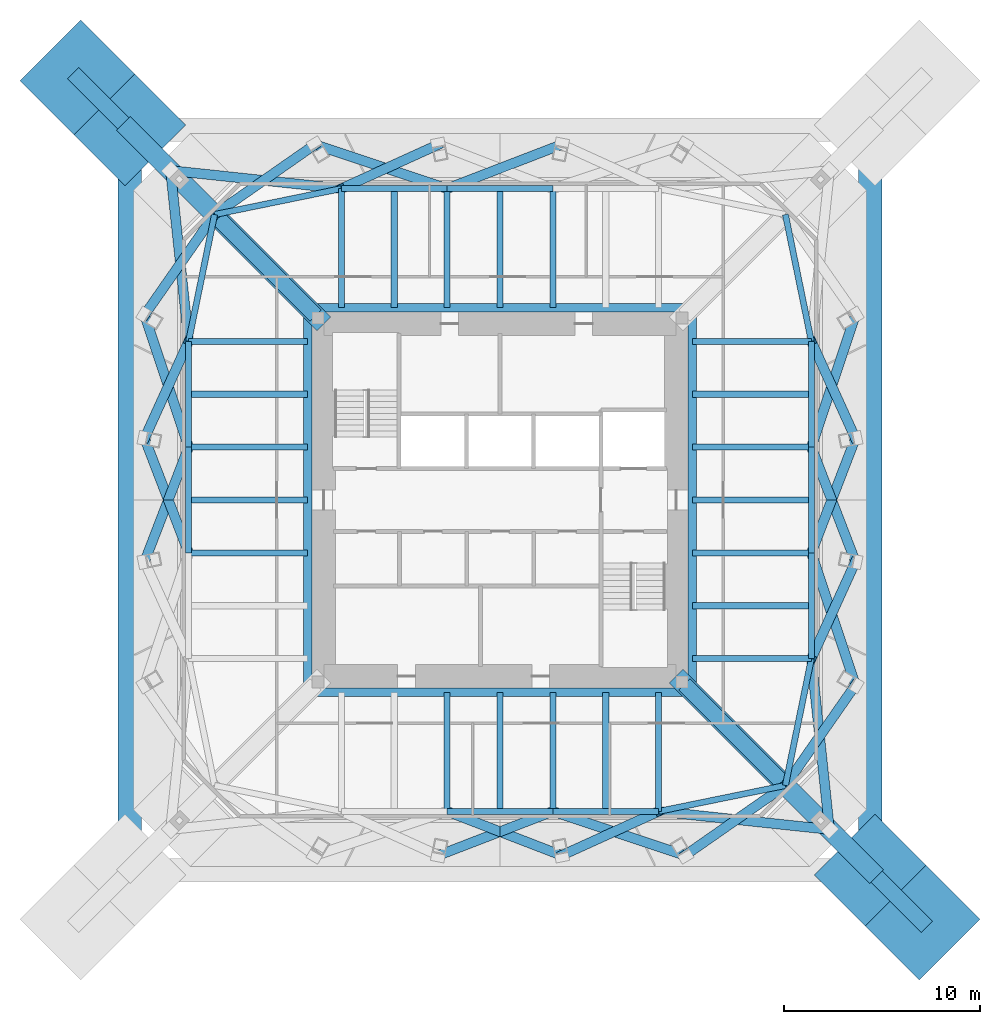
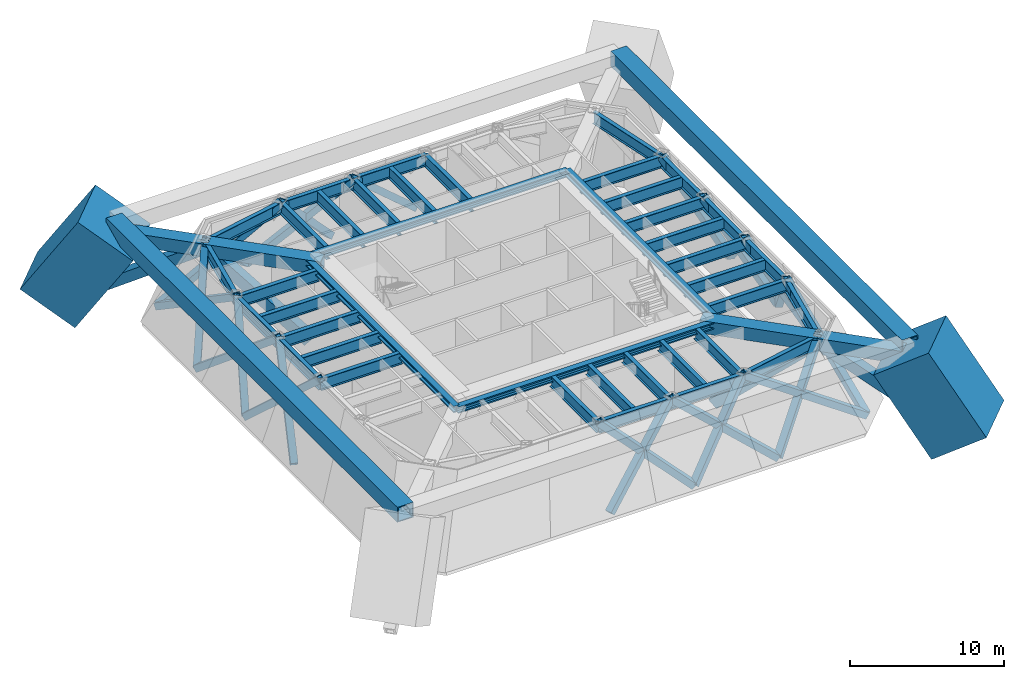
# One storey, part 2 of 6: 40 beams, 37 members.
"""IFC4 building model written with IfcOpenShell, lengths in metres."""

from ifc_helpers import new_model, si_unit, direction, frame, origin, origin_2d, place, context, subcontext, project, spatial, rectangle, hollow_rectangle, i_section, extrude, material, material_profile, profile_set, type_object, element, save


model = new_model("IFC4")

# Units and contexts
model_context = context("Model", 3, precision=1e-05, world=origin(), true_north=direction((0.0, 1.0)))
body_context = subcontext(model_context, "Body", "Model", "MODEL_VIEW")
ifc_project = project(units=[si_unit("LENGTHUNIT", "METRE"), si_unit("AREAUNIT", "SQUARE_METRE"), si_unit("VOLUMEUNIT", "CUBIC_METRE"), si_unit("PLANEANGLEUNIT", "RADIAN"), si_unit("MASSUNIT", "GRAM", prefix="KILO")], contexts=[model_context])

# Site, building, storey
site_placement = place(None, origin())
site = spatial("IfcSite", under=ifc_project, at=site_placement, CompositionType="ELEMENT")
building_placement = place(site_placement, origin())
building = spatial("IfcBuilding", under=site, at=building_placement, Name="Iwan Alto Co-Living Towers", CompositionType="ELEMENT")
storey_placement = place(building_placement, frame((0.0, 0.0, 209.0)))
storey = spatial("IfcBuildingStorey", under=building, at=storey_placement, Name="L57", CompositionType="ELEMENT", Elevation=209.0)

# Beams
ifc_material_1 = material(Name="Steel ASTM A992 Gr 50", Category="steel")
ifc_material_profile_1 = material_profile(ifc_material_1, i_section(OverallWidth=0.307373046875, OverallDepth=0.927001953125, WebThickness=0.01953125, FlangeThickness=0.031982421875, at=origin_2d()), Name="W36X194")
ifc_profile_set_1 = profile_set([ifc_material_profile_1], Name="Steel ASTM A992 Gr 50")
beam_type_1 = type_object("IfcBeamType", Name="T1 BELT TRUSS CHORD W36X194", PredefinedType="BEAM", material=ifc_profile_set_1)
beam_1_placement = place(storey_placement, frame((-2.699951171875, -15.89990234375, 5.306396484375), z_axis=(1.0, 0.0, 0.0), x_axis=(0.0, 1.0, 0.0)))
element("IfcBeam", 1, at=beam_1_placement, inside=storey, type_object=beam_type_1, Name="T1 edge beam S2 L58", PredefinedType="BEAM", context=body_context, shape_type="SweptSolid", body=[
    extrude(i_section(OverallWidth=0.307373046875, OverallDepth=0.927001953125, WebThickness=0.01953125, FlangeThickness=0.031982421875, at=origin_2d()), origin(), (0.0, 0.0, 1.0), 5.39990234375),
])
beam_2_placement = place(storey_placement, frame((2.699951171875, -15.89990234375, 5.306396484375), z_axis=(1.0, 0.0, 0.0), x_axis=(0.0, 1.0, 0.0)))
element("IfcBeam", 2, at=beam_2_placement, inside=storey, type_object=beam_type_1, Name="T1 edge beam S3 L58", PredefinedType="BEAM", context=body_context, shape_type="SweptSolid", body=[
    extrude(i_section(OverallWidth=0.307373046875, OverallDepth=0.927001953125, WebThickness=0.01953125, FlangeThickness=0.031982421875, at=origin_2d()), origin(), (0.0, 0.0, 1.0), 5.400146484375),
])
for number, where, z_axis, x_axis, name in (
    (3, (8.10009765625, -15.89990234375, 5.306396484375), (0.979724820103, 0.200347889618, 0.0), (-0.200347889618, 0.979724820103, 0.0), "T1 edge beam S4 L58"),
    (4, (14.57568359375, -14.57568359375, 5.306396484375), (0.200347889618, 0.979724820103, 0.0), (-0.979724820103, 0.200347889618, 0.0), "T1 edge beam CSE L58"),
):
    element("IfcBeam", number, at=place(storey_placement, frame(where, z_axis=z_axis, x_axis=x_axis)), inside=storey, type_object=beam_type_1, Name=name, PredefinedType="BEAM", context=body_context, shape_type="SweptSolid", body=[
        extrude(i_section(OverallWidth=0.307373046875, OverallDepth=0.927001953125, WebThickness=0.01953125, FlangeThickness=0.031982421875, at=origin_2d()), origin(), (0.0, 0.0, 1.0), 6.609619140625),
    ])
beam_3_placement = place(storey_placement, frame((15.89990234375, -8.10009765625, 5.306396484375), z_axis=(0.0, 1.0, 0.0), x_axis=(-1.0, 0.0, 0.0)))
element("IfcBeam", 5, at=beam_3_placement, inside=storey, type_object=beam_type_1, Name="T1 edge beam E1 L58", PredefinedType="BEAM", context=body_context, shape_type="SweptSolid", body=[
    extrude(i_section(OverallWidth=0.307373046875, OverallDepth=0.927001953125, WebThickness=0.01953125, FlangeThickness=0.031982421875, at=origin_2d()), origin(), (0.0, 0.0, 1.0), 5.400146484375),
])
beam_4_placement = place(storey_placement, frame((15.89990234375, -2.699951171875, 5.306396484375), z_axis=(0.0, 1.0, 0.0), x_axis=(-1.0, 0.0, 0.0)))
element("IfcBeam", 6, at=beam_4_placement, inside=storey, type_object=beam_type_1, Name="T1 edge beam E2 L58", PredefinedType="BEAM", context=body_context, shape_type="SweptSolid", body=[
    extrude(i_section(OverallWidth=0.307373046875, OverallDepth=0.927001953125, WebThickness=0.01953125, FlangeThickness=0.031982421875, at=origin_2d()), origin(), (0.0, 0.0, 1.0), 5.39990234375),
])
beam_5_placement = place(storey_placement, frame((15.89990234375, 2.699951171875, 5.306396484375), z_axis=(0.0, 1.0, 0.0), x_axis=(-1.0, 0.0, 0.0)))
element("IfcBeam", 7, at=beam_5_placement, inside=storey, type_object=beam_type_1, Name="T1 edge beam E3 L58", PredefinedType="BEAM", context=body_context, shape_type="SweptSolid", body=[
    extrude(i_section(OverallWidth=0.307373046875, OverallDepth=0.927001953125, WebThickness=0.01953125, FlangeThickness=0.031982421875, at=origin_2d()), origin(), (0.0, 0.0, 1.0), 5.400146484375),
])
beam_6_placement = place(storey_placement, frame((15.89990234375, 8.10009765625, 5.306396484375), z_axis=(-0.200347889618, 0.979724820103, 0.0), x_axis=(-0.979724820103, -0.200347889618, 0.0)))
element("IfcBeam", 8, at=beam_6_placement, inside=storey, type_object=beam_type_1, Name="T1 edge beam E4 L58", PredefinedType="BEAM", context=body_context, shape_type="SweptSolid", body=[
    extrude(i_section(OverallWidth=0.307373046875, OverallDepth=0.927001953125, WebThickness=0.01953125, FlangeThickness=0.031982421875, at=origin_2d()), origin(), (0.0, 0.0, 1.0), 6.609619140625),
])
beam_7_placement = place(storey_placement, frame((2.699951171875, 15.89990234375, 5.306396484375), z_axis=(-1.0, 0.0, 0.0), x_axis=(0.0, -1.0, 0.0)))
element("IfcBeam", 9, at=beam_7_placement, inside=storey, type_object=beam_type_1, Name="T1 edge beam N2 L58", PredefinedType="BEAM", context=body_context, shape_type="SweptSolid", body=[
    extrude(i_section(OverallWidth=0.307373046875, OverallDepth=0.927001953125, WebThickness=0.01953125, FlangeThickness=0.031982421875, at=origin_2d()), origin(), (0.0, 0.0, 1.0), 5.39990234375),
])
beam_8_placement = place(storey_placement, frame((-2.699951171875, 15.89990234375, 5.306396484375), z_axis=(-1.0, 0.0, 0.0), x_axis=(0.0, -1.0, 0.0)))
element("IfcBeam", 10, at=beam_8_placement, inside=storey, type_object=beam_type_1, Name="T1 edge beam N3 L58", PredefinedType="BEAM", context=body_context, shape_type="SweptSolid", body=[
    extrude(i_section(OverallWidth=0.307373046875, OverallDepth=0.927001953125, WebThickness=0.01953125, FlangeThickness=0.031982421875, at=origin_2d()), origin(), (0.0, 0.0, 1.0), 5.400146484375),
])
for number, where, z_axis, x_axis, name in (
    (11, (-8.10009765625, 15.89990234375, 5.306396484375), (-0.979724820103, -0.200347889618, 0.0), (0.200347889618, -0.979724820103, 0.0), "T1 edge beam N4 L58"),
    (12, (-14.57568359375, 14.57568359375, 5.306396484375), (-0.200347889618, -0.979724820103, 0.0), (0.979724820103, -0.200347889618, 0.0), "T1 edge beam CNW L58"),
):
    element("IfcBeam", number, at=place(storey_placement, frame(where, z_axis=z_axis, x_axis=x_axis)), inside=storey, type_object=beam_type_1, Name=name, PredefinedType="BEAM", context=body_context, shape_type="SweptSolid", body=[
        extrude(i_section(OverallWidth=0.307373046875, OverallDepth=0.927001953125, WebThickness=0.01953125, FlangeThickness=0.031982421875, at=origin_2d()), origin(), (0.0, 0.0, 1.0), 6.609619140625),
    ])
beam_9_placement = place(storey_placement, frame((-15.89990234375, 8.10009765625, 5.306396484375), z_axis=(0.0, -1.0, 0.0), x_axis=(1.0, 0.0, 0.0)))
element("IfcBeam", 13, at=beam_9_placement, inside=storey, type_object=beam_type_1, Name="T1 edge beam W1 L58", PredefinedType="BEAM", context=body_context, shape_type="SweptSolid", body=[
    extrude(i_section(OverallWidth=0.307373046875, OverallDepth=0.927001953125, WebThickness=0.01953125, FlangeThickness=0.031982421875, at=origin_2d()), origin(), (0.0, 0.0, 1.0), 5.400146484375),
])
beam_10_placement = place(storey_placement, frame((-15.89990234375, 2.699951171875, 5.306396484375), z_axis=(0.0, -1.0, 0.0), x_axis=(1.0, 0.0, 0.0)))
element("IfcBeam", 14, at=beam_10_placement, inside=storey, type_object=beam_type_1, Name="T1 edge beam W2 L58", PredefinedType="BEAM", context=body_context, shape_type="SweptSolid", body=[
    extrude(i_section(OverallWidth=0.307373046875, OverallDepth=0.927001953125, WebThickness=0.01953125, FlangeThickness=0.031982421875, at=origin_2d()), origin(), (0.0, 0.0, 1.0), 5.39990234375),
])

# Members
ifc_material_2 = material(Name="Steel ASTM A572 Gr 50", Category="steel")
ifc_material_profile_2 = material_profile(ifc_material_2, hollow_rectangle(XDim=0.5, YDim=0.5, WallThickness=0.031982421875, at=origin_2d()), Name="BOX 500X500X32")
ifc_profile_set_2 = profile_set([ifc_material_profile_2], Name="Steel ASTM A572 Gr 50")
member_type_1 = type_object("IfcMemberType", Name="T1 BELT TRUSS DIAGONAL BOX 500X500X32", PredefinedType="BRACE", material=ifc_profile_set_2)
for number, where, z_axis, x_axis, name in (
    (15, (-3.14990234375, -18.14990234375, 0.0), (0.690502507157, 0.265584537622, 0.672808398422), (-0.358986909968, 0.933342594373, 0.0), "T1 belt truss diagonal S2 L57 1"),
    (16, (3.14990234375, -18.14990234375, 0.0), (-0.690502507157, 0.265584537622, 0.672808398422), (-0.358986909968, -0.933342594373, 0.0), "T1 belt truss diagonal S2 L57 2"),
):
    element("IfcMember", number, at=place(storey_placement, frame(where, z_axis=z_axis, x_axis=x_axis)), inside=storey, type_object=member_type_1, Name=name, PredefinedType="BRACE", context=body_context, shape_type="SweptSolid", body=[
        extrude(hollow_rectangle(XDim=0.5, YDim=0.5, WallThickness=0.031982421875, at=origin_2d()), origin(), (0.0, 0.0, 1.0), 8.471923828125),
    ])
member_1_placement = place(storey_placement, frame((3.14990234375, -18.14990234375, 0.0), z_axis=(0.628389798864, 0.28562045701, 0.723565626064), x_axis=(-0.413789413043, 0.910372627913, 0.0)))
element("IfcMember", 17, at=member_1_placement, inside=storey, type_object=member_type_1, Name="T1 belt truss diagonal S3 L57 1", PredefinedType="BRACE", context=body_context, shape_type="SweptSolid", body=[
    extrude(hollow_rectangle(XDim=0.5, YDim=0.5, WallThickness=0.031982421875, at=origin_2d()), origin(), (0.0, 0.0, 1.0), 7.877685546875),
])
member_2_placement = place(storey_placement, frame((9.449951171875, -18.14990234375, 0.0), z_axis=(-0.740398486837, 0.246799495612, 0.625220032993), x_axis=(-0.316227766017, -0.948683298051, 0.0)))
element("IfcMember", 18, at=member_2_placement, inside=storey, type_object=member_type_1, Name="T1 belt truss diagonal S3 L57 2", PredefinedType="BRACE", context=body_context, shape_type="SweptSolid", body=[
    extrude(hollow_rectangle(XDim=0.5, YDim=0.5, WallThickness=0.031982421875, at=origin_2d()), origin(), (0.0, 0.0, 1.0), 9.11669921875),
])
member_3_placement = place(storey_placement, frame((9.449951171875, -18.14990234375, 0.0), z_axis=(0.606022431756, 0.422584825001, 0.673913108559), x_axis=(-0.571979905914, 0.820267631466, 0.0)))
element("IfcMember", 19, at=member_3_placement, inside=storey, type_object=member_type_1, Name="T1 belt truss diagonal S4 L57 1", PredefinedType="BRACE", context=body_context, shape_type="SweptSolid", body=[
    extrude(hollow_rectangle(XDim=0.5, YDim=0.5, WallThickness=0.031982421875, at=origin_2d()), origin(), (0.0, 0.0, 1.0), 8.4580078125),
])
for number, where, z_axis, x_axis, name in (
    (20, (16.82568359375, -16.82568359375, 0.0), (-0.833916403256, 0.088478203725, 0.544752273833), (-0.105507415038, -0.994418516205, 0.0), "T1 belt truss diagonal S4 L57 2"),
    (21, (16.82568359375, -16.82568359375, 0.0), (-0.088478203725, 0.833916403256, 0.544752273833), (-0.994418516205, -0.105507415038, 0.0), "T1 belt truss diagonal CSE L57 1"),
):
    element("IfcMember", number, at=place(storey_placement, frame(where, z_axis=z_axis, x_axis=x_axis)), inside=storey, type_object=member_type_1, Name=name, PredefinedType="BRACE", context=body_context, shape_type="SweptSolid", body=[
        extrude(hollow_rectangle(XDim=0.5, YDim=0.5, WallThickness=0.031982421875, at=origin_2d()), origin(), (0.0, 0.0, 1.0), 10.46337890625),
    ])
member_4_placement = place(storey_placement, frame((18.14990234375, -9.449951171875, 0.0), z_axis=(-0.422584825001, -0.606022431756, 0.673913108559), x_axis=(0.820267631466, -0.571979905914, 0.0)))
element("IfcMember", 22, at=member_4_placement, inside=storey, type_object=member_type_1, Name="T1 belt truss diagonal CSE L57 2", PredefinedType="BRACE", context=body_context, shape_type="SweptSolid", body=[
    extrude(hollow_rectangle(XDim=0.5, YDim=0.5, WallThickness=0.031982421875, at=origin_2d()), origin(), (0.0, 0.0, 1.0), 8.4580078125),
])
member_5_placement = place(storey_placement, frame((18.14990234375, -9.449951171875, 0.0), z_axis=(-0.246799495612, 0.740398486837, 0.625220032993), x_axis=(-0.948683298051, -0.316227766017, 0.0)))
element("IfcMember", 23, at=member_5_placement, inside=storey, type_object=member_type_1, Name="T1 belt truss diagonal E1 L57 1", PredefinedType="BRACE", context=body_context, shape_type="SweptSolid", body=[
    extrude(hollow_rectangle(XDim=0.5, YDim=0.5, WallThickness=0.031982421875, at=origin_2d()), origin(), (0.0, 0.0, 1.0), 9.11669921875),
])
member_6_placement = place(storey_placement, frame((18.14990234375, -3.14990234375, 0.0), z_axis=(-0.28562045701, -0.628389798864, 0.723565626064), x_axis=(0.910372627913, -0.413789413043, 0.0)))
element("IfcMember", 24, at=member_6_placement, inside=storey, type_object=member_type_1, Name="T1 belt truss diagonal E1 L57 2", PredefinedType="BRACE", context=body_context, shape_type="SweptSolid", body=[
    extrude(hollow_rectangle(XDim=0.5, YDim=0.5, WallThickness=0.031982421875, at=origin_2d()), origin(), (0.0, 0.0, 1.0), 7.877685546875),
])
for number, where, z_axis, x_axis, name in (
    (25, (18.14990234375, -3.14990234375, 0.0), (-0.265584537622, 0.690502507157, 0.672808398422), (-0.933342594373, -0.358986909968, 0.0), "T1 belt truss diagonal E2 L57 1"),
    (26, (18.14990234375, 3.14990234375, 0.0), (-0.265584537622, -0.690502507157, 0.672808398422), (0.933342594373, -0.358986909968, 0.0), "T1 belt truss diagonal E2 L57 2"),
):
    element("IfcMember", number, at=place(storey_placement, frame(where, z_axis=z_axis, x_axis=x_axis)), inside=storey, type_object=member_type_1, Name=name, PredefinedType="BRACE", context=body_context, shape_type="SweptSolid", body=[
        extrude(hollow_rectangle(XDim=0.5, YDim=0.5, WallThickness=0.031982421875, at=origin_2d()), origin(), (0.0, 0.0, 1.0), 8.471923828125),
    ])
member_7_placement = place(storey_placement, frame((18.14990234375, 3.14990234375, 0.0), z_axis=(-0.28562045701, 0.628389798864, 0.723565626064), x_axis=(-0.910372627913, -0.413789413043, 0.0)))
element("IfcMember", 27, at=member_7_placement, inside=storey, type_object=member_type_1, Name="T1 belt truss diagonal E3 L57 1", PredefinedType="BRACE", context=body_context, shape_type="SweptSolid", body=[
    extrude(hollow_rectangle(XDim=0.5, YDim=0.5, WallThickness=0.031982421875, at=origin_2d()), origin(), (0.0, 0.0, 1.0), 7.877685546875),
])
member_8_placement = place(storey_placement, frame((18.14990234375, 9.449951171875, 0.0), z_axis=(-0.246799495612, -0.740398486837, 0.625220032993), x_axis=(0.948683298051, -0.316227766017, 0.0)))
element("IfcMember", 28, at=member_8_placement, inside=storey, type_object=member_type_1, Name="T1 belt truss diagonal E3 L57 2", PredefinedType="BRACE", context=body_context, shape_type="SweptSolid", body=[
    extrude(hollow_rectangle(XDim=0.5, YDim=0.5, WallThickness=0.031982421875, at=origin_2d()), origin(), (0.0, 0.0, 1.0), 9.11669921875),
])
member_9_placement = place(storey_placement, frame((3.14990234375, 18.14990234375, 0.0), z_axis=(-0.690502507157, -0.265584537622, 0.672808398422), x_axis=(0.358986909968, -0.933342594373, 0.0)))
element("IfcMember", 29, at=member_9_placement, inside=storey, type_object=member_type_1, Name="T1 belt truss diagonal N2 L57 1", PredefinedType="BRACE", context=body_context, shape_type="SweptSolid", body=[
    extrude(hollow_rectangle(XDim=0.5, YDim=0.5, WallThickness=0.031982421875, at=origin_2d()), origin(), (0.0, 0.0, 1.0), 8.471923828125),
])
member_10_placement = place(storey_placement, frame((-3.14990234375, 18.14990234375, 0.0), z_axis=(-0.628389798864, -0.28562045701, 0.723565626064), x_axis=(0.413789413043, -0.910372627913, 0.0)))
element("IfcMember", 30, at=member_10_placement, inside=storey, type_object=member_type_1, Name="T1 belt truss diagonal N3 L57 1", PredefinedType="BRACE", context=body_context, shape_type="SweptSolid", body=[
    extrude(hollow_rectangle(XDim=0.5, YDim=0.5, WallThickness=0.031982421875, at=origin_2d()), origin(), (0.0, 0.0, 1.0), 7.877685546875),
])
member_11_placement = place(storey_placement, frame((-9.449951171875, 18.14990234375, 0.0), z_axis=(0.740398486837, -0.246799495612, 0.625220032993), x_axis=(0.316227766017, 0.948683298051, 0.0)))
element("IfcMember", 31, at=member_11_placement, inside=storey, type_object=member_type_1, Name="T1 belt truss diagonal N3 L57 2", PredefinedType="BRACE", context=body_context, shape_type="SweptSolid", body=[
    extrude(hollow_rectangle(XDim=0.5, YDim=0.5, WallThickness=0.031982421875, at=origin_2d()), origin(), (0.0, 0.0, 1.0), 9.11669921875),
])
member_12_placement = place(storey_placement, frame((-9.449951171875, 18.14990234375, 0.0), z_axis=(-0.606022431756, -0.422584825001, 0.673913108559), x_axis=(0.571979905914, -0.820267631466, 0.0)))
element("IfcMember", 32, at=member_12_placement, inside=storey, type_object=member_type_1, Name="T1 belt truss diagonal N4 L57 1", PredefinedType="BRACE", context=body_context, shape_type="SweptSolid", body=[
    extrude(hollow_rectangle(XDim=0.5, YDim=0.5, WallThickness=0.031982421875, at=origin_2d()), origin(), (0.0, 0.0, 1.0), 8.4580078125),
])
for number, where, z_axis, x_axis, name in (
    (33, (-16.82568359375, 16.82568359375, 0.0), (0.833916403256, -0.088478203725, 0.544752273833), (0.105507415038, 0.994418516205, 0.0), "T1 belt truss diagonal N4 L57 2"),
    (34, (-16.82568359375, 16.82568359375, 0.0), (0.088478203725, -0.833916403256, 0.544752273833), (0.994418516205, 0.105507415038, 0.0), "T1 belt truss diagonal CNW L57 1"),
):
    element("IfcMember", number, at=place(storey_placement, frame(where, z_axis=z_axis, x_axis=x_axis)), inside=storey, type_object=member_type_1, Name=name, PredefinedType="BRACE", context=body_context, shape_type="SweptSolid", body=[
        extrude(hollow_rectangle(XDim=0.5, YDim=0.5, WallThickness=0.031982421875, at=origin_2d()), origin(), (0.0, 0.0, 1.0), 10.46337890625),
    ])
member_13_placement = place(storey_placement, frame((-18.14990234375, 9.449951171875, 0.0), z_axis=(0.422584825001, 0.606022431756, 0.673913108559), x_axis=(-0.820267631466, 0.571979905914, 0.0)))
element("IfcMember", 35, at=member_13_placement, inside=storey, type_object=member_type_1, Name="T1 belt truss diagonal CNW L57 2", PredefinedType="BRACE", context=body_context, shape_type="SweptSolid", body=[
    extrude(hollow_rectangle(XDim=0.5, YDim=0.5, WallThickness=0.031982421875, at=origin_2d()), origin(), (0.0, 0.0, 1.0), 8.4580078125),
])
member_14_placement = place(storey_placement, frame((-18.14990234375, 9.449951171875, 0.0), z_axis=(0.246799495612, -0.740398486837, 0.625220032993), x_axis=(0.948683298051, 0.316227766017, 0.0)))
element("IfcMember", 36, at=member_14_placement, inside=storey, type_object=member_type_1, Name="T1 belt truss diagonal W1 L57 1", PredefinedType="BRACE", context=body_context, shape_type="SweptSolid", body=[
    extrude(hollow_rectangle(XDim=0.5, YDim=0.5, WallThickness=0.031982421875, at=origin_2d()), origin(), (0.0, 0.0, 1.0), 9.11669921875),
])
member_15_placement = place(storey_placement, frame((-18.14990234375, 3.14990234375, 0.0), z_axis=(0.28562045701, 0.628389798864, 0.723565626064), x_axis=(-0.910372627913, 0.413789413043, 0.0)))
element("IfcMember", 37, at=member_15_placement, inside=storey, type_object=member_type_1, Name="T1 belt truss diagonal W1 L57 2", PredefinedType="BRACE", context=body_context, shape_type="SweptSolid", body=[
    extrude(hollow_rectangle(XDim=0.5, YDim=0.5, WallThickness=0.031982421875, at=origin_2d()), origin(), (0.0, 0.0, 1.0), 7.877685546875),
])
for number, where, z_axis, x_axis, name in (
    (38, (-18.14990234375, 3.14990234375, 0.0), (0.265584537622, -0.690502507157, 0.672808398422), (0.933342594373, 0.358986909968, 0.0), "T1 belt truss diagonal W2 L57 1"),
    (39, (-18.14990234375, -3.14990234375, 0.0), (0.265584537622, 0.690502507157, 0.672808398422), (-0.933342594373, 0.358986909968, 0.0), "T1 belt truss diagonal W2 L57 2"),
):
    element("IfcMember", number, at=place(storey_placement, frame(where, z_axis=z_axis, x_axis=x_axis)), inside=storey, type_object=member_type_1, Name=name, PredefinedType="BRACE", context=body_context, shape_type="SweptSolid", body=[
        extrude(hollow_rectangle(XDim=0.5, YDim=0.5, WallThickness=0.031982421875, at=origin_2d()), origin(), (0.0, 0.0, 1.0), 8.471923828125),
    ])

# Beams
ifc_material_3 = material(Name="Steel ASTM A992 Gr 50", Category="steel")
ifc_material_profile_3 = material_profile(ifc_material_3, i_section(OverallWidth=0.436767578125, OverallDepth=0.51318359375, WebThickness=0.060546875, FlangeThickness=0.096923828125, at=origin_2d()), Name="W14X550")
ifc_profile_set_3 = profile_set([ifc_material_profile_3], Name="Steel ASTM A992 Gr 50")
beam_type_2 = type_object("IfcBeamType", Name="T1 CORE LEDGER BEAM W14X550", PredefinedType="BEAM", material=ifc_profile_set_3)
for number, where, z_axis, x_axis, name in (
    (40, (-9.818359375, -9.818359375, 5.513427734375), (1.0, 0.0, 0.0), (0.0, 1.0, 0.0), "T1 core ledger beam S L58"),
    (41, (9.818359375, -9.818359375, 5.513427734375), (0.0, 1.0, 0.0), (-1.0, 0.0, 0.0), "T1 core ledger beam E L58"),
    (42, (9.818359375, 9.818359375, 5.513427734375), (-1.0, 0.0, 0.0), (0.0, -1.0, 0.0), "T1 core ledger beam N L58"),
    (43, (-9.818359375, 9.818359375, 5.513427734375), (0.0, -1.0, 0.0), (1.0, 0.0, 0.0), "T1 core ledger beam W L58"),
):
    element("IfcBeam", number, at=place(storey_placement, frame(where, z_axis=z_axis, x_axis=x_axis)), inside=storey, type_object=beam_type_2, Name=name, PredefinedType="BEAM", context=body_context, shape_type="SweptSolid", body=[
        extrude(i_section(OverallWidth=0.436767578125, OverallDepth=0.51318359375, WebThickness=0.060546875, FlangeThickness=0.096923828125, at=origin_2d()), origin(), (0.0, 0.0, 1.0), 19.63671875),
    ])

# Members
ifc_material_4 = material(Name="Steel ASTM A572 Gr 50", Category="steel")
ifc_material_profile_4 = material_profile(ifc_material_4, hollow_rectangle(XDim=1.199951171875, YDim=1.199951171875, WallThickness=0.070068359375, at=origin_2d()), Name="BOX 1200X1200X70")
ifc_profile_set_4 = profile_set([ifc_material_profile_4], Name="Steel ASTM A572 Gr 50")
member_type_2 = type_object("IfcMemberType", Name="T1 MEGA BELT TIE BOX 1200X1200X70", PredefinedType="STRUT", material=ifc_profile_set_4)
for number, where, z_axis, x_axis, name in (
    (44, (18.89990234375, -18.89990234375, 6.0), (0.0, 1.0, 0.0), (-1.0, 0.0, 0.0), "T1 mega belt tie E L58"),
    (45, (-18.89990234375, 18.89990234375, 6.0), (0.0, -1.0, 0.0), (1.0, 0.0, 0.0), "T1 mega belt tie W L58"),
):
    element("IfcMember", number, at=place(storey_placement, frame(where, z_axis=z_axis, x_axis=x_axis)), inside=storey, type_object=member_type_2, Name=name, PredefinedType="STRUT", context=body_context, shape_type="SweptSolid", body=[
        extrude(hollow_rectangle(XDim=1.199951171875, YDim=1.199951171875, WallThickness=0.070068359375, at=origin_2d()), origin(), (0.0, 0.0, 1.0), 37.7998046875),
    ])
ifc_material_5 = material(Name="Steel ASTM A572 Gr 50", Category="steel")
ifc_material_profile_5 = material_profile(ifc_material_5, hollow_rectangle(XDim=1.0, YDim=1.0, WallThickness=0.070068359375, at=origin_2d()), Name="BOX 1000X1000X70")
ifc_profile_set_5 = profile_set([ifc_material_profile_5], Name="Steel ASTM A572 Gr 50")
member_type_3 = type_object("IfcMemberType", Name="T1 OUTRIGGER CHORD BOX 1000X1000X70", PredefinedType="CHORD", material=ifc_profile_set_5)
member_16_placement = place(storey_placement, frame((9.0, -9.0, 5.27001953125), z_axis=(0.707106781187, -0.707106781187, 0.0), x_axis=(0.707106781187, 0.707106781187, 0.0)))
element("IfcMember", 46, at=member_16_placement, inside=storey, type_object=member_type_3, Name="T1 outrigger SE L57 top chord 1", PredefinedType="CHORD", context=body_context, shape_type="SweptSolid", body=[
    extrude(hollow_rectangle(XDim=1.0, YDim=1.0, WallThickness=0.070068359375, at=origin_2d()), origin(), (0.0, 0.0, 1.0), 7.88525390625),
])
member_17_placement = place(storey_placement, frame((14.57568359375, -14.57568359375, 5.27001953125), z_axis=(0.707106781187, -0.707106781187, 0.0), x_axis=(0.707106781187, 0.707106781187, 0.0)))
element("IfcMember", 47, at=member_17_placement, inside=storey, type_object=member_type_3, Name="T1 outrigger SE L57 top chord 2", PredefinedType="CHORD", context=body_context, shape_type="SweptSolid", body=[
    extrude(hollow_rectangle(XDim=1.0, YDim=1.0, WallThickness=0.070068359375, at=origin_2d()), origin(), (0.0, 0.0, 1.0), 6.588623046875),
])
member_18_placement = place(storey_placement, frame((-9.0, 9.0, 5.27001953125), z_axis=(-0.707106781187, 0.707106781187, 0.0), x_axis=(-0.707106781187, -0.707106781187, 0.0)))
element("IfcMember", 48, at=member_18_placement, inside=storey, type_object=member_type_3, Name="T1 outrigger NW L57 top chord 1", PredefinedType="CHORD", context=body_context, shape_type="SweptSolid", body=[
    extrude(hollow_rectangle(XDim=1.0, YDim=1.0, WallThickness=0.070068359375, at=origin_2d()), origin(), (0.0, 0.0, 1.0), 7.88525390625),
])
member_19_placement = place(storey_placement, frame((-14.57568359375, 14.57568359375, 5.27001953125), z_axis=(-0.707106781187, 0.707106781187, 0.0), x_axis=(-0.707106781187, -0.707106781187, 0.0)))
element("IfcMember", 49, at=member_19_placement, inside=storey, type_object=member_type_3, Name="T1 outrigger NW L57 top chord 2", PredefinedType="CHORD", context=body_context, shape_type="SweptSolid", body=[
    extrude(hollow_rectangle(XDim=1.0, YDim=1.0, WallThickness=0.070068359375, at=origin_2d()), origin(), (0.0, 0.0, 1.0), 6.588623046875),
])
ifc_material_6 = material(Name="Steel ASTM A572 Gr 42", Category="steel")
ifc_material_profile_6 = material_profile(ifc_material_6, hollow_rectangle(XDim=0.800048828125, YDim=0.800048828125, WallThickness=0.139892578125, at=origin_2d()), Name="BOX 800X800X140")
ifc_profile_set_6 = profile_set([ifc_material_profile_6], Name="Steel ASTM A572 Gr 42")
member_type_4 = type_object("IfcMemberType", Name="T1 OUTRIGGER DIAGONAL BOX 800X800X140", PredefinedType="BRACE", material=ifc_profile_set_6)
member_20_placement = place(storey_placement, frame((9.60009765625, -9.60009765625, -0.800048828125), z_axis=(0.535415984594, -0.535415984594, 0.653191738222), x_axis=(0.707106781187, 0.707106781187, 0.0)))
element("IfcMember", 50, at=member_20_placement, inside=storey, type_object=member_type_4, Name="T1 outrigger SE L57 diagonal 1", PredefinedType="BRACE", context=body_context, shape_type="SweptSolid", body=[
    extrude(hollow_rectangle(XDim=0.800048828125, YDim=0.800048828125, WallThickness=0.139892578125, at=origin_2d()), origin(), (0.0, 0.0, 1.0), 9.29296875),
])
member_21_placement = place(storey_placement, frame((14.57568359375, -14.57568359375, 5.27001953125), z_axis=(0.604535007813, -0.604535007813, -0.518724251079), x_axis=(0.707106781187, 0.707106781187, 0.0)))
element("IfcMember", 51, at=member_21_placement, inside=storey, type_object=member_type_4, Name="T1 outrigger SE L57 diagonal 2", PredefinedType="BRACE", context=body_context, shape_type="SweptSolid", body=[
    extrude(hollow_rectangle(XDim=0.800048828125, YDim=0.800048828125, WallThickness=0.139892578125, at=origin_2d()), origin(), (0.0, 0.0, 1.0), 11.701904296875),
])
member_22_placement = place(storey_placement, frame((-9.60009765625, 9.60009765625, -0.800048828125), z_axis=(-0.535415984594, 0.535415984594, 0.653191738222), x_axis=(-0.707106781187, -0.707106781187, 0.0)))
element("IfcMember", 52, at=member_22_placement, inside=storey, type_object=member_type_4, Name="T1 outrigger NW L57 diagonal 1", PredefinedType="BRACE", context=body_context, shape_type="SweptSolid", body=[
    extrude(hollow_rectangle(XDim=0.800048828125, YDim=0.800048828125, WallThickness=0.139892578125, at=origin_2d()), origin(), (0.0, 0.0, 1.0), 9.29296875),
])
member_23_placement = place(storey_placement, frame((-14.57568359375, 14.57568359375, 5.27001953125), z_axis=(-0.604535007813, 0.604535007813, -0.518724251079), x_axis=(-0.707106781187, -0.707106781187, 0.0)))
element("IfcMember", 53, at=member_23_placement, inside=storey, type_object=member_type_4, Name="T1 outrigger NW L57 diagonal 2", PredefinedType="BRACE", context=body_context, shape_type="SweptSolid", body=[
    extrude(hollow_rectangle(XDim=0.800048828125, YDim=0.800048828125, WallThickness=0.139892578125, at=origin_2d()), origin(), (0.0, 0.0, 1.0), 11.701904296875),
])

# Beams
ifc_material_7 = material(Name="Steel ASTM A992 Gr 50", Category="steel")
ifc_material_profile_7 = material_profile(ifc_material_7, i_section(OverallWidth=0.307373046875, OverallDepth=0.927001953125, WebThickness=0.01953125, FlangeThickness=0.031982421875, at=origin_2d()), Name="W36X194")
ifc_profile_set_7 = profile_set([ifc_material_profile_7], Name="Steel ASTM A992 Gr 50")
beam_type_3 = type_object("IfcBeamType", Name="T1 RADIAL BEAM W36X194", PredefinedType="BEAM", material=ifc_profile_set_7)
for number, where, z_axis, x_axis, name in (
    (54, (-2.699951171875, -15.89990234375, 5.306396484375), (0.0, 1.0, 0.0), (-1.0, 0.0, 0.0), "T1 radial beam S2 L58"),
    (55, (2.699951171875, -15.89990234375, 5.306396484375), (0.0, 1.0, 0.0), (-1.0, 0.0, 0.0), "T1 radial beam S3 L58"),
    (56, (8.10009765625, -15.89990234375, 5.306396484375), (0.0, 1.0, 0.0), (-1.0, 0.0, 0.0), "T1 radial beam S4 L58"),
    (57, (15.89990234375, -8.10009765625, 5.306396484375), (-1.0, 0.0, 0.0), (0.0, -1.0, 0.0), "T1 radial beam E1 L58"),
    (58, (15.89990234375, -2.699951171875, 5.306396484375), (-1.0, 0.0, 0.0), (0.0, -1.0, 0.0), "T1 radial beam E2 L58"),
    (59, (15.89990234375, 2.699951171875, 5.306396484375), (-1.0, 0.0, 0.0), (0.0, -1.0, 0.0), "T1 radial beam E3 L58"),
    (60, (15.89990234375, 8.10009765625, 5.306396484375), (-1.0, 0.0, 0.0), (0.0, -1.0, 0.0), "T1 radial beam E4 L58"),
    (61, (2.699951171875, 15.89990234375, 5.306396484375), (0.0, -1.0, 0.0), (1.0, 0.0, 0.0), "T1 radial beam N2 L58"),
    (62, (-2.699951171875, 15.89990234375, 5.306396484375), (0.0, -1.0, 0.0), (1.0, 0.0, 0.0), "T1 radial beam N3 L58"),
    (63, (-8.10009765625, 15.89990234375, 5.306396484375), (0.0, -1.0, 0.0), (1.0, 0.0, 0.0), "T1 radial beam N4 L58"),
    (64, (-15.89990234375, 8.10009765625, 5.306396484375), (1.0, 0.0, 0.0), (0.0, 1.0, 0.0), "T1 radial beam W1 L58"),
    (65, (-15.89990234375, 2.699951171875, 5.306396484375), (1.0, 0.0, 0.0), (0.0, 1.0, 0.0), "T1 radial beam W2 L58"),
    (66, (-15.89990234375, -2.699951171875, 5.306396484375), (1.0, 0.0, 0.0), (0.0, 1.0, 0.0), "T1 radial beam W3 L58"),
):
    element("IfcBeam", number, at=place(storey_placement, frame(where, z_axis=z_axis, x_axis=x_axis)), inside=storey, type_object=beam_type_3, Name=name, PredefinedType="BEAM", context=body_context, shape_type="SweptSolid", body=[
        extrude(i_section(OverallWidth=0.307373046875, OverallDepth=0.927001953125, WebThickness=0.01953125, FlangeThickness=0.031982421875, at=origin_2d()), origin(), (0.0, 0.0, 1.0), 6.08154296875),
    ])

# Members
ifc_material_8 = material(Name="Concrete f'c 70 MPa", Category="concrete")
ifc_material_profile_8 = material_profile(ifc_material_8, rectangle(XDim=4.39990234375, YDim=4.39990234375, at=origin_2d()), Name="RC 4400X4400")
ifc_profile_set_8 = profile_set([ifc_material_profile_8], Name="Concrete f'c 70 MPa")
member_type_5 = type_object("IfcMemberType", Name="T1 RAKING MEGA COLUMN RC 4400X4400", PredefinedType="MEMBER", material=ifc_profile_set_8)
for number, where, z_axis, x_axis, name in (
    (67, (21.64990234375, -21.64990234375, 0.0), (-0.384605980701, 0.384605980701, 0.83914032153), (-0.707106781187, -0.707106781187, 0.0), "T1 raking mega column SE L57"),
    (68, (-21.64990234375, 21.64990234375, 0.0), (0.384605980701, -0.384605980701, 0.83914032153), (0.707106781187, 0.707106781187, 0.0), "T1 raking mega column NW L57"),
):
    element("IfcMember", number, at=place(storey_placement, frame(where, z_axis=z_axis, x_axis=x_axis)), inside=storey, type_object=member_type_5, Name=name, PredefinedType="MEMBER", context=body_context, shape_type="SweptSolid", body=[
        extrude(rectangle(XDim=4.39990234375, YDim=4.39990234375, at=origin_2d()), origin(), (0.0, 0.0, 1.0), 7.150146484375),
        extrude(i_section(OverallWidth=0.4775390625, OverallDepth=0.599365234375, WebThickness=0.10009765625, FlangeThickness=0.139892578125, at=origin_2d()), origin(), (0.0, 0.0, 1.0), 7.150146484375),
    ])

# Beams
ifc_material_9 = material(Name="Steel ASTM A992 Gr 50", Category="steel")
ifc_material_profile_9 = material_profile(ifc_material_9, i_section(OverallWidth=0.307373046875, OverallDepth=0.927001953125, WebThickness=0.01953125, FlangeThickness=0.031982421875, at=origin_2d()), Name="W36X194")
ifc_profile_set_9 = profile_set([ifc_material_profile_9], Name="Steel ASTM A992 Gr 50")
beam_type_4 = type_object("IfcBeamType", Name="T1 SECONDARY BEAM W36X194", PredefinedType="JOIST", material=ifc_profile_set_9)
for number, where, z_axis, x_axis, name in (
    (69, (0.0, -15.89990234375, 5.306396484375), (0.0, 1.0, 0.0), (-1.0, 0.0, 0.0), "T1 secondary beam S2 L58"),
    (70, (5.39990234375, -15.89990234375, 5.306396484375), (0.0, 1.0, 0.0), (-1.0, 0.0, 0.0), "T1 secondary beam S3 L58"),
    (71, (15.89990234375, -5.39990234375, 5.306396484375), (-1.0, 0.0, 0.0), (0.0, -1.0, 0.0), "T1 secondary beam E1 L58"),
    (72, (15.89990234375, 0.0, 5.306396484375), (-1.0, 0.0, 0.0), (0.0, -1.0, 0.0), "T1 secondary beam E2 L58"),
    (73, (15.89990234375, 5.39990234375, 5.306396484375), (-1.0, 0.0, 0.0), (0.0, -1.0, 0.0), "T1 secondary beam E3 L58"),
    (74, (0.0, 15.89990234375, 5.306396484375), (0.0, -1.0, 0.0), (1.0, 0.0, 0.0), "T1 secondary beam N2 L58"),
    (75, (-5.39990234375, 15.89990234375, 5.306396484375), (0.0, -1.0, 0.0), (1.0, 0.0, 0.0), "T1 secondary beam N3 L58"),
    (76, (-15.89990234375, 5.39990234375, 5.306396484375), (1.0, 0.0, 0.0), (0.0, 1.0, 0.0), "T1 secondary beam W1 L58"),
    (77, (-15.89990234375, 0.0, 5.306396484375), (1.0, 0.0, 0.0), (0.0, 1.0, 0.0), "T1 secondary beam W2 L58"),
):
    element("IfcBeam", number, at=place(storey_placement, frame(where, z_axis=z_axis, x_axis=x_axis)), inside=storey, type_object=beam_type_4, Name=name, PredefinedType="JOIST", context=body_context, shape_type="SweptSolid", body=[
        extrude(i_section(OverallWidth=0.307373046875, OverallDepth=0.927001953125, WebThickness=0.01953125, FlangeThickness=0.031982421875, at=origin_2d()), origin(), (0.0, 0.0, 1.0), 6.08154296875),
    ])

save(model, "model.ifc")
